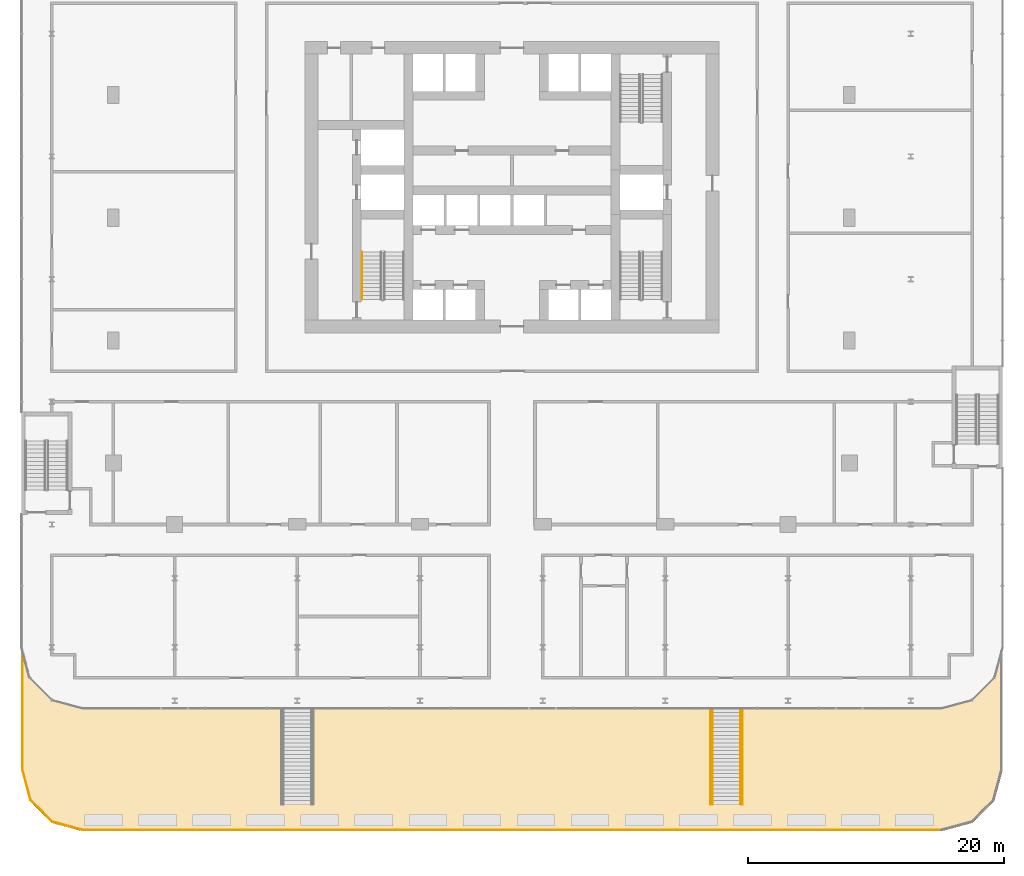
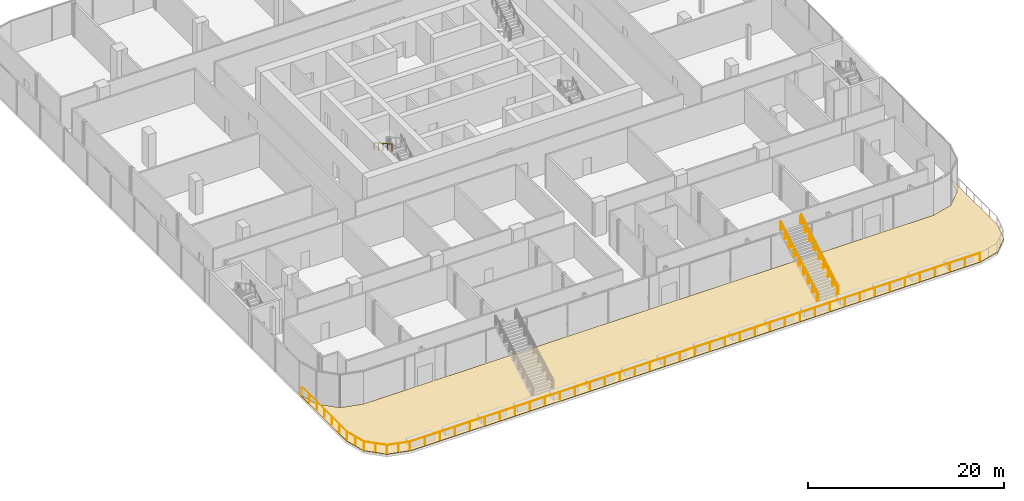
# One storey, part 34 of 38: 6 railings, 1 covering.
"""IFC4 building model written with IfcOpenShell, lengths in metres."""

import ifcopenshell
import ifcopenshell.guid

model = None  # the IFC model being written
_history = None  # IfcOwnerHistory: only IFC2X3 demands one
_inside = {}  # id of a spatial element -> (the spatial element, [elements in it])
_under = {}  # id of a project, library or spatial element -> (it, [spatial elements below it])
_declared = {}  # id of a project -> (the project, [libraries it declares])
_typed = {}  # id of a type object -> (the type object, [elements of that type])
_made_of = {}  # id of a material, layer set ... -> (it, [elements and type objects made of it])


def new_model(schema):
    """Start an empty IFC model of exactly this schema.

    Asked for "IFC4X3", IfcOpenShell would pick the latest addendum, in which some entities
    have other attributes; the version numbers below select the first issue.
    IFC2X3 requires an IfcOwnerHistory on every rooted entity: one is made here for all.
    """
    global model, _history
    if schema == "IFC4X3":
        model = ifcopenshell.file(schema_version=(4, 3, 0, 0))
    else:
        model = ifcopenshell.file(schema=schema)
    _inside.clear()
    _under.clear()
    _declared.clear()
    _typed.clear()
    _made_of.clear()
    _history = None
    if model.schema == "IFC2X3":
        org = make("IfcOrganization", Name="unknown")
        user = make(
            "IfcPersonAndOrganization",
            ThePerson=make("IfcPerson", FamilyName="unknown"),
            TheOrganization=org,
        )
        app = make(
            "IfcApplication",
            ApplicationDeveloper=org,
            Version="unknown",
            ApplicationFullName="unknown",
            ApplicationIdentifier="unknown",
        )
        _history = make(
            "IfcOwnerHistory",
            OwningUser=user,
            OwningApplication=app,
            ChangeAction="ADDED",
            CreationDate=0,
        )
    return model


def make(cls, **values):
    """One entity of the class cls with the attributes given. An attribute that is None is left unset."""
    return model.create_entity(
        cls, **{name: value for name, value in values.items() if value is not None}
    )


def rooted(cls, **values):
    """An entity with a GlobalId (a new one), such as an element, a storey or a relation."""
    return make(cls, GlobalId=ifcopenshell.guid.new(), OwnerHistory=_history, **values)


def si_unit(unit_type, name, prefix=None):
    """IfcSIUnit, for example si_unit("LENGTHUNIT", "METRE", prefix="MILLI")."""
    return make("IfcSIUnit", UnitType=unit_type, Prefix=prefix, Name=name)


def assignment(units):
    """IfcUnitAssignment: the units of a project."""
    return None if units is None else make("IfcUnitAssignment", Units=units)


def point(xyz):
    """IfcCartesianPoint."""
    return None if xyz is None else make("IfcCartesianPoint", Coordinates=xyz)


def direction(xyz):
    """IfcDirection."""
    return None if xyz is None else make("IfcDirection", DirectionRatios=xyz)


def frame(location, z_axis=None, x_axis=None):
    """IfcAxis2Placement3D, a coordinate frame: its origin and axes. An axis left out is left unset."""
    return make(
        "IfcAxis2Placement3D",
        Location=point(location),
        Axis=direction(z_axis),
        RefDirection=direction(x_axis),
    )


def frame_2d(location, x_axis=None):
    """IfcAxis2Placement2D, a coordinate frame in the plane: its origin and x axis."""
    return make(
        "IfcAxis2Placement2D", Location=point(location), RefDirection=direction(x_axis)
    )


def origin():
    """The frame at (0, 0, 0) with its axes left unset."""
    return frame((0.0, 0.0, 0.0))


def origin_2d():
    """The frame at (0, 0) in the plane with its x axis left unset."""
    return frame_2d((0.0, 0.0))


def place(relative_to, where):
    """IfcLocalPlacement: puts the frame where relative to a parent placement (None: the world)."""
    return make(
        "IfcLocalPlacement", PlacementRelTo=relative_to, RelativePlacement=where
    )


def context(
    kind, dimensions, precision=None, world=None, true_north=None, identifier=None
):
    """IfcGeometricRepresentationContext, for example the 3D "Model" context."""
    return make(
        "IfcGeometricRepresentationContext",
        ContextIdentifier=identifier,
        ContextType=kind,
        CoordinateSpaceDimension=dimensions,
        Precision=precision,
        WorldCoordinateSystem=world,
        TrueNorth=true_north,
    )


def subcontext(parent, identifier, kind, view, scale=None):
    """IfcGeometricRepresentationSubContext, for example "Body" below "Model"."""
    return make(
        "IfcGeometricRepresentationSubContext",
        ContextIdentifier=identifier,
        ContextType=kind,
        ParentContext=parent,
        TargetScale=scale,
        TargetView=view,
    )


def project(units=None, contexts=None):
    """IfcProject with its units and contexts."""
    return rooted(
        "IfcProject",
        Name="project",
        RepresentationContexts=contexts,
        UnitsInContext=assignment(units),
    )


def spatial(cls, under=None, at=None, **own):
    """A site, building, storey or space (cls), placed at a placement, below another one or the project."""
    s = rooted(cls, ObjectPlacement=at, **own)
    if under is not None:
        _under.setdefault(under.id(), (under, []))[1].append(s)
    return s


def polyline(points):
    """IfcPolyline through the points."""
    return make("IfcPolyline", Points=[point(p) for p in points])


def profile(cls, at=None, kind="AREA", **sizes):
    """A parametric profile (cls). Its sizes go by their IFC names, for example OverallWidth=200.0."""
    return make(cls, ProfileType=kind, Position=at, **sizes)


def circle(**sizes):
    """IfcCircleProfileDef."""
    return profile("IfcCircleProfileDef", **sizes)


def outline(outer, holes=None, kind="AREA"):
    """IfcArbitraryClosedProfileDef: a profile drawn as a closed curve; with holes, ...WithVoids."""
    if holes is None:
        return make("IfcArbitraryClosedProfileDef", ProfileType=kind, OuterCurve=outer)
    return make(
        "IfcArbitraryProfileDefWithVoids",
        ProfileType=kind,
        OuterCurve=outer,
        InnerCurves=holes,
    )


def extrude(swept, where, along, depth):
    """IfcExtrudedAreaSolid: the profile swept, set in the frame where, extruded along a direction by depth."""
    return make(
        "IfcExtrudedAreaSolid",
        SweptArea=swept,
        Position=where,
        ExtrudedDirection=direction(along),
        Depth=depth,
    )


def shape(context_of_items, identifier, shape_type, items):
    """IfcShapeRepresentation: the items that make up one representation, for example the "Body"."""
    return make(
        "IfcShapeRepresentation",
        ContextOfItems=context_of_items,
        RepresentationIdentifier=identifier,
        RepresentationType=shape_type,
        Items=items,
    )


def material(Name=None, Category=None):
    """IfcMaterial."""
    return make("IfcMaterial", Name=Name, Category=Category)


def layer(
    of_material, thickness, ventilated=None, Name=None, Category=None, Priority=None
):
    """IfcMaterialLayer: one layer of a wall or slab, of a material (None: an air gap)."""
    return make(
        "IfcMaterialLayer",
        Material=of_material,
        LayerThickness=thickness,
        IsVentilated=ventilated,
        Name=Name,
        Category=Category,
        Priority=Priority,
    )


def layer_set(layers, Name=None):
    """IfcMaterialLayerSet."""
    return make("IfcMaterialLayerSet", MaterialLayers=layers, LayerSetName=Name)


def made_of(thing, what):
    """Note that an element or type object is made of a material, layer set ...; save() writes the relation."""
    if what is not None:
        _made_of.setdefault(what.id(), (what, []))[1].append(thing)
    return thing


def type_object(cls, material=None, **own):
    """A type object (cls), such as IfcWallType, which elements share."""
    return made_of(rooted(cls, **own), material)


def element(
    cls,
    number,
    at=None,
    inside=None,
    cuts=None,
    type_object=None,
    material=None,
    context=None,
    identifier="Body",
    shape_type=None,
    held_by="IfcProductDefinitionShape",
    body=None,
    shapes=None,
    **own,
):
    """One element of the class cls, such as IfcWall. Its Tag is "e" and its number.

    at: its placement. inside: the storey or other place that contains it. cuts: it is an
    opening in that element (IfcRelVoidsElement). A single representation is given by context,
    identifier, shape_type and body (its items); several are given by shapes. held_by: the class
    of the entity that holds the representations. save() writes the other relations.
    """
    e = rooted(cls, Tag="e%d" % number, ObjectPlacement=at, **own)
    if body is not None:
        shapes = [shape(context, identifier, shape_type, body)]
    if shapes is not None:
        e.Representation = make(held_by, Representations=shapes)
    if inside is not None:
        _inside.setdefault(inside.id(), (inside, []))[1].append(e)
    if cuts is not None:
        rooted(
            "IfcRelVoidsElement", RelatingBuildingElement=cuts, RelatedOpeningElement=e
        )
    if type_object is not None:
        _typed.setdefault(type_object.id(), (type_object, []))[1].append(e)
    return made_of(e, material)


def aggregate(whole, parts):
    """IfcRelAggregates: a whole, such as a stair, and the parts it consists of."""
    return rooted("IfcRelAggregates", RelatingObject=whole, RelatedObjects=parts)


def save(model, path):
    """Write the relations noted so far, then the file.

    IfcRelAggregates (storeys below a building ...), IfcRelContainedInSpatialStructure (elements
    in a storey), IfcRelDefinesByType, IfcRelAssociatesMaterial and IfcRelDeclares: one each for
    every whole, place, type object, material and project.
    """
    for whole, parts in _under.values():
        aggregate(whole, parts)
    for where, things in _inside.values():
        rooted(
            "IfcRelContainedInSpatialStructure",
            RelatedElements=things,
            RelatingStructure=where,
        )
    for kind, things in _typed.values():
        rooted("IfcRelDefinesByType", RelatedObjects=things, RelatingType=kind)
    for what, things in _made_of.values():
        rooted("IfcRelAssociatesMaterial", RelatedObjects=things, RelatingMaterial=what)
    for by, libraries in _declared.values():
        rooted("IfcRelDeclares", RelatingContext=by, RelatedDefinitions=libraries)
    model.write(path)


model = new_model("IFC4")

# Units and contexts
model_context = context("Model", 3, precision=1e-05, world=origin(), true_north=direction((0.0, 1.0)))
body_context = subcontext(model_context, "Body", "Model", "MODEL_VIEW")
ifc_project = project(units=[si_unit("LENGTHUNIT", "METRE"), si_unit("AREAUNIT", "SQUARE_METRE"), si_unit("VOLUMEUNIT", "CUBIC_METRE"), si_unit("PLANEANGLEUNIT", "RADIAN"), si_unit("MASSUNIT", "GRAM", prefix="KILO")], contexts=[model_context])

# Site, building, storey
site_placement = place(None, origin())
site = spatial("IfcSite", under=ifc_project, at=site_placement, CompositionType="ELEMENT")
building_placement = place(site_placement, origin())
building = spatial("IfcBuilding", under=site, at=building_placement, Name="Madar Terraces", CompositionType="ELEMENT")
storey_placement = place(building_placement, frame((0.0, 0.0, 15.0)))
storey = spatial("IfcBuildingStorey", under=building, at=storey_placement, Name="L03", CompositionType="ELEMENT", Elevation=15.0)

# Railings
ifc_material_1 = material(Name="Glass, safety glazing, with stainless steel posts", Category="steel")
railing_type_1 = type_object("IfcRailingType", Name="Balcony glass guard 1100", PredefinedType="GUARDRAIL", material=ifc_material_1)
railing_1_placement = place(storey_placement, frame((-7.10009765625, -9.930908203125, 0.0400390625)))
element("IfcRailing", 1, at=railing_1_placement, inside=storey, type_object=railing_type_1, Name="Terrace guard", PredefinedType="GUARDRAIL", context=body_context, shape_type="SweptSolid", body=[
    extrude(circle(Radius=0.02392578125, at=origin_2d()), frame((0.0, 0.0, 1.076171875), z_axis=(0.0, -1.0, 0.0), x_axis=(1.0, 0.0, 0.0)), (0.0, 0.0, 1.0), 9.26904296875),
    extrude(circle(Radius=0.02392578125, at=origin_2d()), frame((0.0, -9.26904296875, 1.076171875), z_axis=(0.25888655274, -0.965907735144, 0.0), x_axis=(0.965907735144, 0.25888655274, 0.0)), (0.0, 0.0, 1.0), 2.43310546875),
    extrude(circle(Radius=0.02392578125, at=origin_2d()), frame((0.6298828125, -11.619140625, 1.076171875), z_axis=(0.707106781187, -0.707106781187, 0.0), x_axis=(0.707106781187, 0.707106781187, 0.0)), (0.0, 0.0, 1.0), 2.432861328125),
    extrude(circle(Radius=0.02392578125, at=origin_2d()), frame((2.35009765625, -13.33935546875, 1.076171875), z_axis=(0.965932823238, -0.258792930722, 0.0), x_axis=(0.258792930722, 0.965932823238, 0.0)), (0.0, 0.0, 1.0), 2.432861328125),
    extrude(circle(Radius=0.02392578125, at=origin_2d()), frame((4.7001953125, -13.968994140625, 1.076171875), z_axis=(1.0, 0.0, 0.0), x_axis=(0.0, 1.0, 0.0)), (0.0, 0.0, 1.0), 67.199951171875),
    extrude(circle(Radius=0.02099609375, at=origin_2d()), origin(), (0.0, 0.0, 1.0), 1.052001953125),
    extrude(circle(Radius=0.02099609375, at=origin_2d()), frame((0.0, -1.544921875, 0.0)), (0.0, 0.0, 1.0), 1.052001953125),
    extrude(circle(Radius=0.02099609375, at=origin_2d()), frame((0.0, -3.089599609375, 0.0)), (0.0, 0.0, 1.0), 1.052001953125),
    extrude(circle(Radius=0.02099609375, at=origin_2d()), frame((0.0, -4.634521484375, 0.0)), (0.0, 0.0, 1.0), 1.052001953125),
    extrude(circle(Radius=0.02099609375, at=origin_2d()), frame((0.0, -6.179443359375, 0.0)), (0.0, 0.0, 1.0), 1.052001953125),
    extrude(circle(Radius=0.02099609375, at=origin_2d()), frame((0.0, -7.72412109375, 0.0)), (0.0, 0.0, 1.0), 1.052001953125),
    extrude(circle(Radius=0.02099609375, at=origin_2d()), frame((0.0, -9.26904296875, 0.0)), (0.0, 0.0, 1.0), 1.052001953125),
    extrude(circle(Radius=0.02099609375, at=origin_2d()), frame((0.31494140625, -10.444091796875, 0.0)), (0.0, 0.0, 1.0), 1.052001953125),
    extrude(circle(Radius=0.02099609375, at=origin_2d()), frame((0.6298828125, -11.619140625, 0.0)), (0.0, 0.0, 1.0), 1.052001953125),
    extrude(circle(Radius=0.02099609375, at=origin_2d()), frame((1.489990234375, -12.479248046875, 0.0)), (0.0, 0.0, 1.0), 1.052001953125),
    extrude(circle(Radius=0.02099609375, at=origin_2d()), frame((2.35009765625, -13.33935546875, 0.0)), (0.0, 0.0, 1.0), 1.052001953125),
    extrude(circle(Radius=0.02099609375, at=origin_2d()), frame((3.525146484375, -13.654296875, 0.0)), (0.0, 0.0, 1.0), 1.052001953125),
    extrude(circle(Radius=0.02099609375, at=origin_2d()), frame((4.7001953125, -13.968994140625, 0.0)), (0.0, 0.0, 1.0), 1.052001953125),
    extrude(circle(Radius=0.02099609375, at=origin_2d()), frame((6.468505859375, -13.968994140625, 0.0)), (0.0, 0.0, 1.0), 1.052001953125),
    extrude(circle(Radius=0.02099609375, at=origin_2d()), frame((8.237060546875, -13.968994140625, 0.0)), (0.0, 0.0, 1.0), 1.052001953125),
    extrude(circle(Radius=0.02099609375, at=origin_2d()), frame((10.00537109375, -13.968994140625, 0.0)), (0.0, 0.0, 1.0), 1.052001953125),
    extrude(circle(Radius=0.02099609375, at=origin_2d()), frame((11.77392578125, -13.968994140625, 0.0)), (0.0, 0.0, 1.0), 1.052001953125),
    extrude(circle(Radius=0.02099609375, at=origin_2d()), frame((13.542236328125, -13.968994140625, 0.0)), (0.0, 0.0, 1.0), 1.052001953125),
    extrude(circle(Radius=0.02099609375, at=origin_2d()), frame((15.310791015625, -13.968994140625, 0.0)), (0.0, 0.0, 1.0), 1.052001953125),
    extrude(circle(Radius=0.02099609375, at=origin_2d()), frame((17.0791015625, -13.968994140625, 0.0)), (0.0, 0.0, 1.0), 1.052001953125),
    extrude(circle(Radius=0.02099609375, at=origin_2d()), frame((18.84765625, -13.968994140625, 0.0)), (0.0, 0.0, 1.0), 1.052001953125),
    extrude(circle(Radius=0.02099609375, at=origin_2d()), frame((20.615966796875, -13.968994140625, 0.0)), (0.0, 0.0, 1.0), 1.052001953125),
    extrude(circle(Radius=0.02099609375, at=origin_2d()), frame((22.38427734375, -13.968994140625, 0.0)), (0.0, 0.0, 1.0), 1.052001953125),
    extrude(circle(Radius=0.02099609375, at=origin_2d()), frame((24.15283203125, -13.968994140625, 0.0)), (0.0, 0.0, 1.0), 1.052001953125),
    extrude(circle(Radius=0.02099609375, at=origin_2d()), frame((25.921142578125, -13.968994140625, 0.0)), (0.0, 0.0, 1.0), 1.052001953125),
    extrude(circle(Radius=0.02099609375, at=origin_2d()), frame((27.689697265625, -13.968994140625, 0.0)), (0.0, 0.0, 1.0), 1.052001953125),
    extrude(circle(Radius=0.02099609375, at=origin_2d()), frame((29.4580078125, -13.968994140625, 0.0)), (0.0, 0.0, 1.0), 1.052001953125),
    extrude(circle(Radius=0.02099609375, at=origin_2d()), frame((31.2265625, -13.968994140625, 0.0)), (0.0, 0.0, 1.0), 1.052001953125),
    extrude(circle(Radius=0.02099609375, at=origin_2d()), frame((32.994873046875, -13.968994140625, 0.0)), (0.0, 0.0, 1.0), 1.052001953125),
    extrude(circle(Radius=0.02099609375, at=origin_2d()), frame((34.763427734375, -13.968994140625, 0.0)), (0.0, 0.0, 1.0), 1.052001953125),
    extrude(circle(Radius=0.02099609375, at=origin_2d()), frame((36.53173828125, -13.968994140625, 0.0)), (0.0, 0.0, 1.0), 1.052001953125),
    extrude(circle(Radius=0.02099609375, at=origin_2d()), frame((38.30029296875, -13.968994140625, 0.0)), (0.0, 0.0, 1.0), 1.052001953125),
    extrude(circle(Radius=0.02099609375, at=origin_2d()), frame((40.068603515625, -13.968994140625, 0.0)), (0.0, 0.0, 1.0), 1.052001953125),
    extrude(circle(Radius=0.02099609375, at=origin_2d()), frame((41.8369140625, -13.968994140625, 0.0)), (0.0, 0.0, 1.0), 1.052001953125),
    extrude(circle(Radius=0.02099609375, at=origin_2d()), frame((43.60546875, -13.968994140625, 0.0)), (0.0, 0.0, 1.0), 1.052001953125),
    extrude(circle(Radius=0.02099609375, at=origin_2d()), frame((45.373779296875, -13.968994140625, 0.0)), (0.0, 0.0, 1.0), 1.052001953125),
    extrude(circle(Radius=0.02099609375, at=origin_2d()), frame((47.142333984375, -13.968994140625, 0.0)), (0.0, 0.0, 1.0), 1.052001953125),
    extrude(circle(Radius=0.02099609375, at=origin_2d()), frame((48.91064453125, -13.968994140625, 0.0)), (0.0, 0.0, 1.0), 1.052001953125),
    extrude(circle(Radius=0.02099609375, at=origin_2d()), frame((50.67919921875, -13.968994140625, 0.0)), (0.0, 0.0, 1.0), 1.052001953125),
    extrude(circle(Radius=0.02099609375, at=origin_2d()), frame((52.447509765625, -13.968994140625, 0.0)), (0.0, 0.0, 1.0), 1.052001953125),
    extrude(circle(Radius=0.02099609375, at=origin_2d()), frame((54.216064453125, -13.968994140625, 0.0)), (0.0, 0.0, 1.0), 1.052001953125),
    extrude(circle(Radius=0.02099609375, at=origin_2d()), frame((55.984375, -13.968994140625, 0.0)), (0.0, 0.0, 1.0), 1.052001953125),
    extrude(circle(Radius=0.02099609375, at=origin_2d()), frame((57.752685546875, -13.968994140625, 0.0)), (0.0, 0.0, 1.0), 1.052001953125),
    extrude(circle(Radius=0.02099609375, at=origin_2d()), frame((59.521240234375, -13.968994140625, 0.0)), (0.0, 0.0, 1.0), 1.052001953125),
    extrude(circle(Radius=0.02099609375, at=origin_2d()), frame((61.28955078125, -13.968994140625, 0.0)), (0.0, 0.0, 1.0), 1.052001953125),
    extrude(circle(Radius=0.02099609375, at=origin_2d()), frame((63.05810546875, -13.968994140625, 0.0)), (0.0, 0.0, 1.0), 1.052001953125),
    extrude(circle(Radius=0.02099609375, at=origin_2d()), frame((64.826416015625, -13.968994140625, 0.0)), (0.0, 0.0, 1.0), 1.052001953125),
    extrude(circle(Radius=0.02099609375, at=origin_2d()), frame((66.594970703125, -13.968994140625, 0.0)), (0.0, 0.0, 1.0), 1.052001953125),
    extrude(circle(Radius=0.02099609375, at=origin_2d()), frame((68.36328125, -13.968994140625, 0.0)), (0.0, 0.0, 1.0), 1.052001953125),
    extrude(circle(Radius=0.02099609375, at=origin_2d()), frame((70.1318359375, -13.968994140625, 0.0)), (0.0, 0.0, 1.0), 1.052001953125),
    extrude(circle(Radius=0.02099609375, at=origin_2d()), frame((71.900146484375, -13.968994140625, 0.0)), (0.0, 0.0, 1.0), 1.052001953125),
])
ifc_material_2 = material(Name="Glass, safety glazing, with stainless steel posts", Category="steel")
railing_type_2 = type_object("IfcRailingType", Name="Cascade stair guard 1100", PredefinedType="GUARDRAIL", material=ifc_material_2)
for number, where, name in (
    (2, (46.75, -21.89990234375, 0.173095703125), "Cascade stair guard L04 2"),
    (3, (49.25, -21.89990234375, 0.173095703125), "Cascade stair guard L04 2"),
):
    element("IfcRailing", number, at=place(storey_placement, frame(where)), inside=storey, type_object=railing_type_2, Name=name, PredefinedType="GUARDRAIL", context=body_context, shape_type="SweptSolid", body=[
        extrude(circle(Radius=0.02392578125, at=origin_2d()), frame((0.0, 0.0, 1.076171875), z_axis=(0.0, 0.866186524876, 0.499720826184), x_axis=(-1.0, 0.0, 0.0)), (0.0, 0.0, 1.0), 8.65869140625),
        extrude(circle(Radius=0.02099609375, at=origin_2d()), origin(), (0.0, 0.0, 1.0), 1.052001953125),
        extrude(circle(Radius=0.02099609375, at=origin_2d()), frame((0.0, 0.9375, 0.540771484375)), (0.0, 0.0, 1.0), 1.052001953125),
        extrude(circle(Radius=0.02099609375, at=origin_2d()), frame((0.0, 1.875, 1.081787109375)), (0.0, 0.0, 1.0), 1.052001953125),
        extrude(circle(Radius=0.02099609375, at=origin_2d()), frame((0.0, 2.8125, 1.62255859375)), (0.0, 0.0, 1.0), 1.052001953125),
        extrude(circle(Radius=0.02099609375, at=origin_2d()), frame((0.0, 3.75, 2.16357421875)), (0.0, 0.0, 1.0), 1.052001953125),
        extrude(circle(Radius=0.02099609375, at=origin_2d()), frame((0.0, 4.6875, 2.704345703125)), (0.0, 0.0, 1.0), 1.052001953125),
        extrude(circle(Radius=0.02099609375, at=origin_2d()), frame((0.0, 5.625, 3.2451171875)), (0.0, 0.0, 1.0), 1.052001953125),
        extrude(circle(Radius=0.02099609375, at=origin_2d()), frame((0.0, 6.5625, 3.7861328125)), (0.0, 0.0, 1.0), 1.052001953125),
        extrude(circle(Radius=0.02099609375, at=origin_2d()), frame((0.0, 7.5, 4.326904296875)), (0.0, 0.0, 1.0), 1.052001953125),
    ])
ifc_material_3 = material(Name="Stainless steel", Category="steel")
railing_type_3 = type_object("IfcRailingType", Name="Cascade stair handrail 920", PredefinedType="HANDRAIL", material=ifc_material_3)
for number, where, name in (
    (4, (46.89990234375, -21.89990234375, 0.173095703125), "Cascade stair handrail L04 2"),
    (5, (49.10009765625, -21.89990234375, 0.173095703125), "Cascade stair handrail L04 2"),
):
    element("IfcRailing", number, at=place(storey_placement, frame(where)), inside=storey, type_object=railing_type_3, Name=name, PredefinedType="HANDRAIL", context=body_context, shape_type="SweptSolid", body=[
        extrude(circle(Radius=0.02392578125, at=origin_2d()), frame((0.0, 0.0, 0.89599609375), z_axis=(0.0, 0.866186524876, 0.499720826184), x_axis=(-1.0, 0.0, 0.0)), (0.0, 0.0, 1.0), 8.65869140625),
        extrude(circle(Radius=0.02099609375, at=origin_2d()), origin(), (0.0, 0.0, 1.0), 0.871826171875),
        extrude(circle(Radius=0.02099609375, at=origin_2d()), frame((0.0, 0.9375, 0.540771484375)), (0.0, 0.0, 1.0), 0.871826171875),
        extrude(circle(Radius=0.02099609375, at=origin_2d()), frame((0.0, 1.875, 1.081787109375)), (0.0, 0.0, 1.0), 0.871826171875),
        extrude(circle(Radius=0.02099609375, at=origin_2d()), frame((0.0, 2.8125, 1.62255859375)), (0.0, 0.0, 1.0), 0.871826171875),
        extrude(circle(Radius=0.02099609375, at=origin_2d()), frame((0.0, 3.75, 2.16357421875)), (0.0, 0.0, 1.0), 0.871826171875),
        extrude(circle(Radius=0.02099609375, at=origin_2d()), frame((0.0, 4.6875, 2.704345703125)), (0.0, 0.0, 1.0), 0.871826171875),
        extrude(circle(Radius=0.02099609375, at=origin_2d()), frame((0.0, 5.625, 3.2451171875)), (0.0, 0.0, 1.0), 0.871826171875),
        extrude(circle(Radius=0.02099609375, at=origin_2d()), frame((0.0, 6.5625, 3.7861328125)), (0.0, 0.0, 1.0), 0.871826171875),
        extrude(circle(Radius=0.02099609375, at=origin_2d()), frame((0.0, 7.5, 4.326904296875)), (0.0, 0.0, 1.0), 0.871826171875),
    ])
ifc_material_4 = material(Name="Stainless steel railing", Category="steel")
railing_type_4 = type_object("IfcRailingType", Name="Stair handrail 900", PredefinedType="HANDRAIL", material=ifc_material_4)
railing_2_placement = place(storey_placement, frame((19.449951171875, 21.320068359375, 2.423095703125)))
element("IfcRailing", 6, at=railing_2_placement, inside=storey, type_object=railing_type_4, Name="L03 ST1 stair handrail 2", PredefinedType="HANDRAIL", context=body_context, shape_type="SweptSolid", body=[
    extrude(circle(Radius=0.02392578125, at=origin_2d()), frame((0.0, 0.0, 0.8759765625), z_axis=(0.0, -0.873133609054, 0.487480974747), x_axis=(1.0, 0.0, 0.0)), (0.0, 0.0, 1.0), 4.260498046875),
    extrude(circle(Radius=0.02099609375, at=origin_2d()), origin(), (0.0, 0.0, 1.0), 0.851806640625),
    extrude(circle(Radius=0.02099609375, at=origin_2d()), frame((0.0, -0.929931640625, 0.519287109375)), (0.0, 0.0, 1.0), 0.851806640625),
    extrude(circle(Radius=0.02099609375, at=origin_2d()), frame((0.0, -1.85986328125, 1.03857421875)), (0.0, 0.0, 1.0), 0.851806640625),
    extrude(circle(Radius=0.02099609375, at=origin_2d()), frame((0.0, -2.7900390625, 1.5576171875)), (0.0, 0.0, 1.0), 0.851806640625),
    extrude(circle(Radius=0.02099609375, at=origin_2d()), frame((0.0, -3.719970703125, 2.076904296875)), (0.0, 0.0, 1.0), 0.851806640625),
])

# Covering
ifc_material_5 = material(Name="Porcelain paving slabs on pedestals")
ifc_layer = layer(ifc_material_5, 0.0400390625)
ifc_layer_set = layer_set([ifc_layer], Name="Terrace paving 40")
covering_type = type_object("IfcCoveringType", Name="Terrace paving 40", PredefinedType="FLOORING", material=ifc_layer_set)
covering_placement = place(storey_placement, origin())
element("IfcCovering", 7, at=covering_placement, inside=storey, type_object=covering_type, Name="Terrace paving", PredefinedType="FLOORING", context=body_context, shape_type="SweptSolid", body=[
    extrude(outline(polyline([(-6.556884765625, -12.0), (-6.555908203125, -12.0009765625), (-4.80078125, -13.756103515625), (-4.800048828125, -13.7568359375), (-4.798583984375, -13.75732421875), (-2.401123046875, -14.399658203125), (-2.39990234375, -14.39990234375), (-2.39892578125, -14.39990234375), (64.798828125, -14.39990234375), (64.800048828125, -14.39990234375), (64.801025390625, -14.399658203125), (67.19873046875, -13.75732421875), (67.199951171875, -13.7568359375), (67.200927734375, -13.756103515625), (68.9560546875, -12.0009765625), (68.956787109375, -12.0), (68.957275390625, -11.998779296875), (69.501708984375, -9.966796875), (69.503173828125, -9.962158203125), (69.505126953125, -9.95751953125), (69.507568359375, -9.953125), (69.510498046875, -9.94921875), (69.513671875, -9.9453125), (69.517333984375, -9.94189453125), (69.521240234375, -9.93896484375), (69.525390625, -9.936279296875), (69.52978515625, -9.93408203125), (69.534423828125, -9.932373046875), (69.539306640625, -9.930908203125), (69.544189453125, -9.93017578125), (69.549072265625, -9.9296875), (69.55419921875, -9.929931640625), (69.55908203125, -9.9306640625), (69.563720703125, -9.931640625), (69.568603515625, -9.933349609375), (69.572998046875, -9.935302734375), (69.577392578125, -9.93798828125), (69.581298828125, -9.94091796875), (69.5849609375, -9.944091796875), (69.58837890625, -9.94775390625), (69.59130859375, -9.95166015625), (69.593994140625, -9.9560546875), (69.59619140625, -9.96044921875), (69.597900390625, -9.965087890625), (69.59912109375, -9.969970703125), (69.599853515625, -9.974853515625), (69.60009765625, -9.979736328125), (69.60009765625, -19.193359375), (69.599853515625, -19.19775390625), (69.59912109375, -19.2021484375), (69.598388671875, -19.206298828125), (68.96044921875, -21.587158203125), (68.958740234375, -21.592041015625), (68.95654296875, -21.5966796875), (68.9541015625, -21.601318359375), (68.950927734375, -21.605712890625), (68.947509765625, -21.609619140625), (67.20947265625, -23.347412109375), (67.20556640625, -23.35107421875), (67.201416015625, -23.35400390625), (67.19677734375, -23.356689453125), (67.19189453125, -23.35888671875), (67.18701171875, -23.3603515625), (64.806396484375, -23.998291015625), (64.802001953125, -23.999267578125), (64.7978515625, -23.999755859375), (64.79345703125, -24.0), (-2.393310546875, -24.0), (-2.397705078125, -23.999755859375), (-2.402099609375, -23.999267578125), (-2.406494140625, -23.998291015625), (-4.787109375, -23.3603515625), (-4.7919921875, -23.35888671875), (-4.796875, -23.356689453125), (-4.801513671875, -23.35400390625), (-4.8056640625, -23.35107421875), (-4.8095703125, -23.347412109375), (-6.54736328125, -21.609619140625), (-6.551025390625, -21.605712890625), (-6.553955078125, -21.601318359375), (-6.556640625, -21.5966796875), (-6.558837890625, -21.592041015625), (-6.560302734375, -21.587158203125), (-7.1982421875, -19.206298828125), (-7.19921875, -19.2021484375), (-7.19970703125, -19.19775390625), (-7.199951171875, -19.193359375), (-7.199951171875, -9.979736328125), (-7.19970703125, -9.974853515625), (-7.198974609375, -9.969970703125), (-7.19775390625, -9.965087890625), (-7.196044921875, -9.96044921875), (-7.194091796875, -9.9560546875), (-7.19140625, -9.95166015625), (-7.1884765625, -9.94775390625), (-7.18505859375, -9.944091796875), (-7.181396484375, -9.94091796875), (-7.17724609375, -9.93798828125), (-7.173095703125, -9.935302734375), (-7.16845703125, -9.933349609375), (-7.163818359375, -9.931640625), (-7.158935546875, -9.9306640625), (-7.154052734375, -9.929931640625), (-7.149169921875, -9.9296875), (-7.14404296875, -9.93017578125), (-7.139404296875, -9.930908203125), (-7.134521484375, -9.932373046875), (-7.1298828125, -9.93408203125), (-7.12548828125, -9.936279296875), (-7.12109375, -9.93896484375), (-7.1171875, -9.94189453125), (-7.11376953125, -9.9453125), (-7.110595703125, -9.94921875), (-7.107666015625, -9.953125), (-7.105224609375, -9.95751953125), (-7.103271484375, -9.962158203125), (-7.101806640625, -9.966796875), (-6.557373046875, -11.998779296875), (-6.556884765625, -12.0)])), origin(), (0.0, 0.0, 1.0), 0.0400390625),
])

save(model, "model.ifc")
